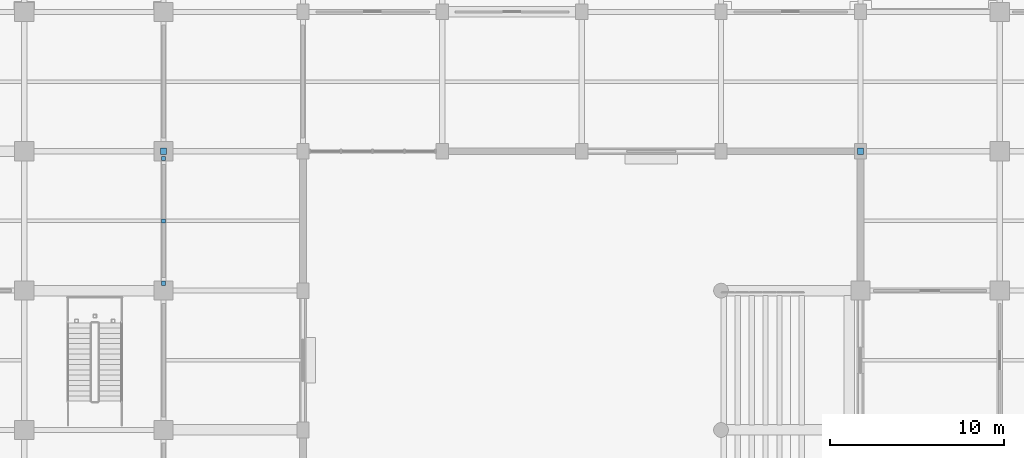
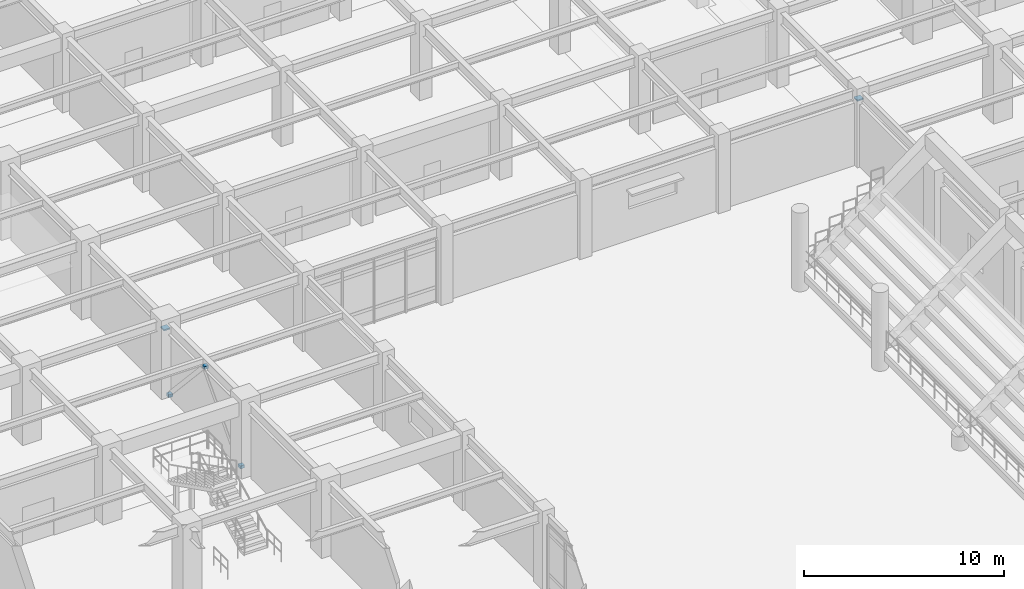
# One storey, part 103 of 125: 5 discrete accessories.
"""IFC4 building model written with IfcOpenShell, lengths in metres."""

from ifc_helpers import new_model, si_unit, direction, frame, origin, origin_2d, place, context, subcontext, project, spatial, rectangle, extrude, material, layer, layer_set, type_object, element, save


model = new_model("IFC4")

# Units and contexts
model_context = context("Model", 3, precision=1e-05, world=origin(), true_north=direction((0.0, 1.0)))
body_context = subcontext(model_context, "Body", "Model", "MODEL_VIEW")
ifc_project = project(units=[si_unit("LENGTHUNIT", "METRE"), si_unit("AREAUNIT", "SQUARE_METRE"), si_unit("VOLUMEUNIT", "CUBIC_METRE"), si_unit("PLANEANGLEUNIT", "RADIAN"), si_unit("MASSUNIT", "GRAM", prefix="KILO")], contexts=[model_context])

# Site, building, storey
site_placement = place(None, origin())
site = spatial("IfcSite", under=ifc_project, at=site_placement, CompositionType="ELEMENT")
building_placement = place(site_placement, origin())
building = spatial("IfcBuilding", under=site, at=building_placement, Name="Haebicheon Civic Stadium", CompositionType="ELEMENT")
storey_placement = place(building_placement, origin())
storey = spatial("IfcBuildingStorey", under=building, at=storey_placement, Name="L01", CompositionType="ELEMENT", Elevation=0.0)

# Discrete accessories
ifc_material_1 = material(Name="Steel SM490", Category="steel")
ifc_layer_1 = layer(ifc_material_1, 0.080078125, Name="Steel SM490")
ifc_layer_set_1 = layer_set([ifc_layer_1], Name="Steel SM490")
discrete_accessory_type_1 = type_object("IfcDiscreteAccessoryType", Name="BRG-PTFE-350", PredefinedType="SHOE", material=ifc_layer_set_1)
for number, where, z_axis, x_axis, name in (
    (1, (160.0, 136.0, 3.820068359375), (0.0, 0.0, 1.0), (1.0, 0.0, 0.0), "Movement joint unguided PTFE sliding bearing 4"),
    (2, (200.0, 136.0, 3.820068359375), (0.0, 0.0, 1.0), (1.0, 0.0, 0.0), "Movement joint unguided PTFE sliding bearing 10"),
):
    element("IfcDiscreteAccessory", number, at=place(storey_placement, frame(where, z_axis=z_axis, x_axis=x_axis)), inside=storey, type_object=discrete_accessory_type_1, material=ifc_layer_set_1, Name=name, PredefinedType="SHOE", context=body_context, shape_type="SweptSolid", body=[
        extrude(rectangle(XDim=0.35009765625, YDim=0.35009765625, at=origin_2d()), origin(), (0.0, 0.0, 1.0), 0.080078125),
    ])
ifc_material_2 = material(Name="White painted steel SM490", Category="steel")
ifc_layer_2 = layer(ifc_material_2, 0.179931640625, Name="White painted steel SM490")
ifc_layer_set_2 = layer_set([ifc_layer_2], Name="White painted steel SM490")
discrete_accessory_type_2 = type_object("IfcDiscreteAccessoryType", Name="BRK-END-PLT", PredefinedType="BRACKET", material=ifc_layer_set_2)
for number, where, z_axis, x_axis, name in (
    (3, (160.0, 128.419921875, -0.0498046875), (0.0, 0.0, 1.0), (1.0, 0.0, 0.0), "Brace L01-19-16 bolted end connection plate"),
    (4, (160.0, 135.580078125, -0.0498046875), (0.0, 0.0, 1.0), (1.0, 0.0, 0.0), "Brace L01-19-16 bolted end connection plate"),
    (5, (160.0, 132.0, 3.85009765625), (0.0, 0.0, 1.0), (1.0, 0.0, 0.0), "Brace L01-19-16 bolted end connection plate"),
):
    element("IfcDiscreteAccessory", number, at=place(storey_placement, frame(where, z_axis=z_axis, x_axis=x_axis)), inside=storey, type_object=discrete_accessory_type_2, material=ifc_layer_set_2, Name=name, PredefinedType="BRACKET", context=body_context, shape_type="SweptSolid", body=[
        extrude(rectangle(XDim=0.239990234375, YDim=0.239990234375, at=origin_2d()), origin(), (0.0, 0.0, 1.0), 0.179931640625),
    ])

save(model, "model.ifc")
